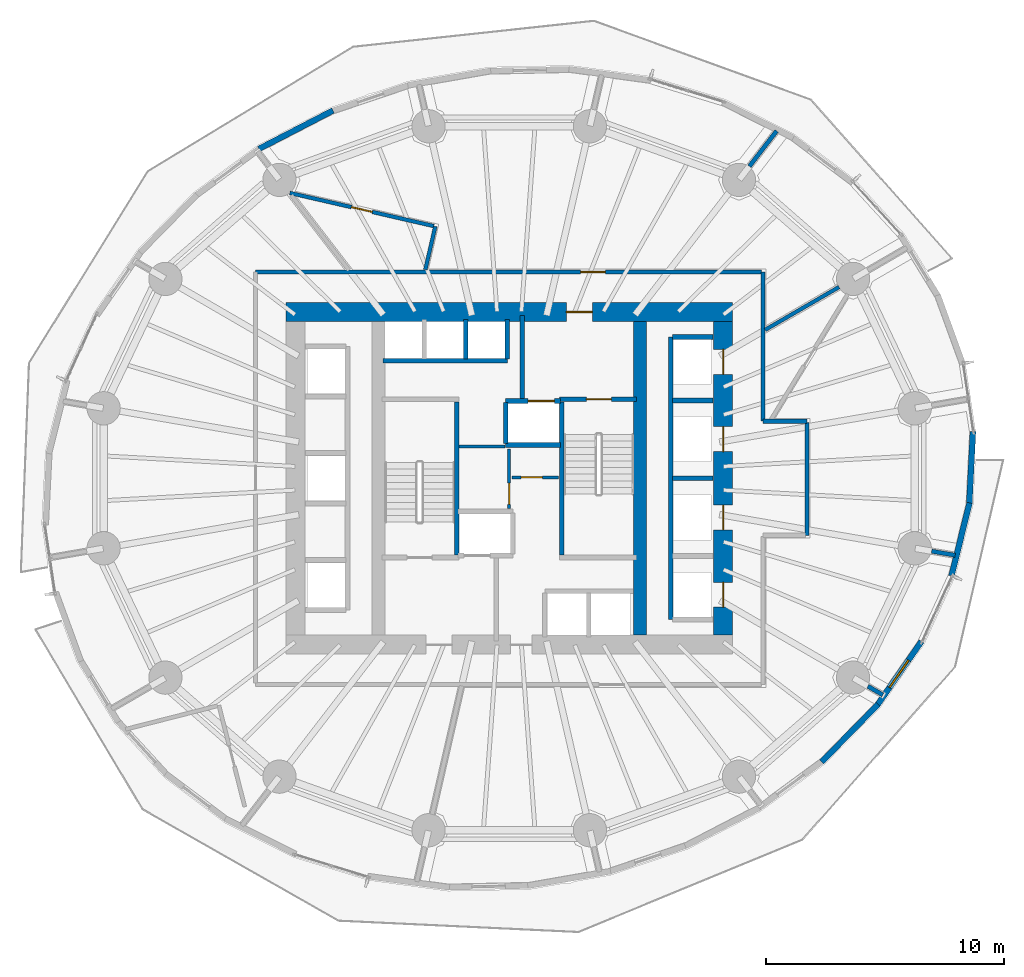
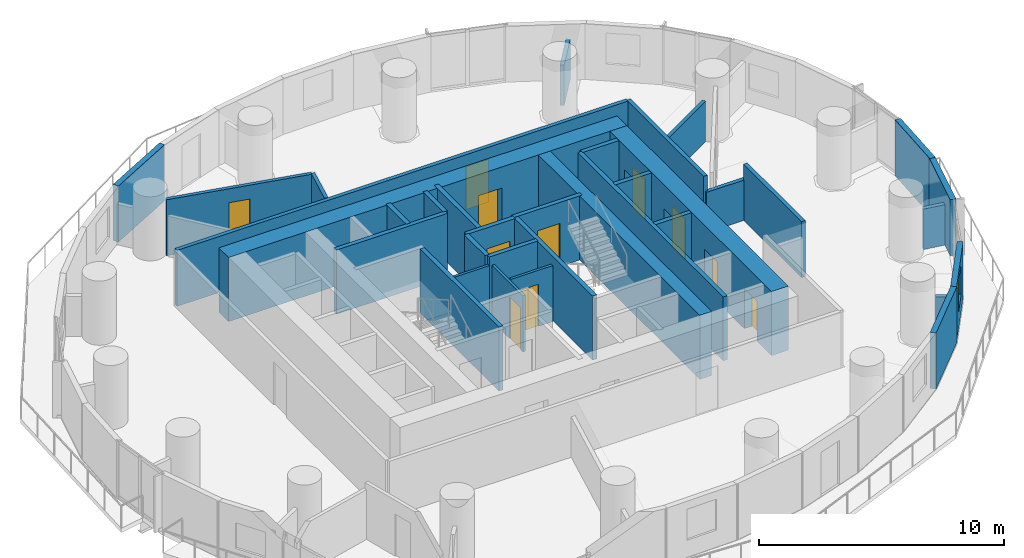
# One storey, part 8 of 13: 35 walls, 11 doors, 1 window, 12 openings.
"""IFC4 building model written with IfcOpenShell, lengths in metres."""

from ifc_helpers import new_model, si_unit, direction, frame, frame_2d, origin, place, context, subcontext, project, spatial, rectangle, extrude, material, layer, layer_set, type_object, element, fill, save


model = new_model("IFC4")

# Units and contexts
model_context = context("Model", 3, precision=1e-05, world=origin(), true_north=direction((0.0, 1.0)))
body_context = subcontext(model_context, "Body", "Model", "MODEL_VIEW")
ifc_project = project(units=[si_unit("LENGTHUNIT", "METRE"), si_unit("AREAUNIT", "SQUARE_METRE"), si_unit("VOLUMEUNIT", "CUBIC_METRE"), si_unit("PLANEANGLEUNIT", "RADIAN"), si_unit("MASSUNIT", "GRAM", prefix="KILO")], contexts=[model_context])

# Site, building, storey
site_placement = place(None, origin())
site = spatial("IfcSite", under=ifc_project, at=site_placement, CompositionType="ELEMENT")
building_placement = place(site_placement, origin())
building = spatial("IfcBuilding", under=site, at=building_placement, Name="Veldorim Arch Residences", CompositionType="ELEMENT")
storey_placement = place(building_placement, frame((0.0, 0.0, 63.199951171875)))
storey = spatial("IfcBuildingStorey", under=building, at=storey_placement, Name="L18", CompositionType="ELEMENT", Elevation=63.199951171875)

# Wall, opening, door
ifc_material_1 = material(Name="Acoustic Gypsum Board", Category="gypsum")
ifc_layer_1 = layer(ifc_material_1, 0.125, Name="Acoustic Stud Room Partition Wall 125")
ifc_layer_set_1 = layer_set([ifc_layer_1], Name="Acoustic Gypsum Board")
wall_type_1 = type_object("IfcWallType", Name="Acoustic Stud Room Partition Wall 125", PredefinedType="PARTITIONING", material=ifc_layer_set_1)
wall_1_placement = place(storey_placement, frame((32.0, 22.719970703125, 0.0), z_axis=(0.0, 0.0, 1.0), x_axis=(0.0, 1.0, 0.0)))
wall_1 = element("IfcWall", 1, at=wall_1_placement, inside=storey, type_object=wall_type_1, Name="L18 interior wall WL-CA-L18-1", PredefinedType="PARTITIONING", context=body_context, shape_type="SweptSolid", body=[
    extrude(rectangle(XDim=2.52001953125, YDim=0.125, at=frame_2d((1.260009765625, 0.0))), origin(), (0.0, 0.0, 1.0), 2.795166015625),
])
opening_1_placement = place(wall_1_placement, frame((0.179931640625, 0.0, 0.0)))
opening_1 = element("IfcOpeningElement", 2, at=opening_1_placement, cuts=wall_1, Name="Opening DR-SVC", PredefinedType="OPENING", context=body_context, shape_type="SweptSolid", body=[
    extrude(rectangle(XDim=0.89990234375, YDim=2.10009765625, at=frame_2d((0.449951171875, 1.050048828125))), frame((0.0, 0.072509765625, 0.0), z_axis=(0.0, -1.0, 0.0), x_axis=(1.0, 0.0, 0.0)), (0.0, 0.0, 1.0), 0.14501953125),
])
ifc_material_2 = material(Name="Fire-Rated Steel", Category="steel")
door_type_1 = type_object("IfcDoorType", Name="Riser, Shelter & Plant Room Rated Steel Door 900x2100", OperationType="SINGLE_SWING_LEFT", PredefinedType="DOOR", material=ifc_material_2)
door_1_placement = place(opening_1_placement, origin())
door_1 = element("IfcDoor", 3, at=door_1_placement, inside=storey, type_object=door_type_1, Name="L18 interior door DR-L18-CA2", OperationType="SINGLE_SWING_RIGHT", OverallHeight=2.10009765625, OverallWidth=0.89990234375, PredefinedType="DOOR", context=body_context, shape_type="SweptSolid", body=[
    extrude(rectangle(XDim=0.89990234375, YDim=2.10009765625, at=frame_2d((0.449951171875, 1.050048828125))), frame((0.0, 0.02490234375, 0.0), z_axis=(0.0, -1.0, 0.0), x_axis=(1.0, 0.0, 0.0)), (0.0, 0.0, 1.0), 0.050048828125),
])
fill(opening_1, door_1)

wall_2_placement = place(storey_placement, frame((32.110107421875, 24.0400390625, 0.0), z_axis=(0.0, 0.0, 1.0), x_axis=(1.0, 0.0, 0.0)))
wall_2 = element("IfcWall", 4, at=wall_2_placement, inside=storey, type_object=wall_type_1, Name="L18 interior wall WL-CA-L18-3", PredefinedType="PARTITIONING", context=body_context, shape_type="SweptSolid", body=[
    extrude(rectangle(XDim=1.969970703125, YDim=0.125, at=frame_2d((0.98486328125, 0.0))), origin(), (0.0, 0.0, 1.0), 2.795166015625),
])
opening_2_placement = place(wall_2_placement, frame((0.389892578125, 0.0, 0.0)))
opening_2 = element("IfcOpeningElement", 5, at=opening_2_placement, cuts=wall_2, Name="Opening DR-INT", PredefinedType="OPENING", context=body_context, shape_type="SweptSolid", body=[
    extrude(rectangle(XDim=0.89990234375, YDim=2.10009765625, at=frame_2d((0.449951171875, 1.050048828125))), frame((0.0, 0.072509765625, 0.0), z_axis=(0.0, -1.0, 0.0), x_axis=(1.0, 0.0, 0.0)), (0.0, 0.0, 1.0), 0.14501953125),
])
ifc_material_3 = material(Name="Engineered Timber", Category="wood")
door_type_2 = type_object("IfcDoorType", Name="Apartment Internal Room Timber Door 900x2100", OperationType="SINGLE_SWING_LEFT", PredefinedType="DOOR", material=ifc_material_3)
door_2_placement = place(opening_2_placement, origin())
door_2 = element("IfcDoor", 6, at=door_2_placement, inside=storey, type_object=door_type_2, Name="L18 interior door DR-L18-CA1", OperationType="SINGLE_SWING_LEFT", OverallHeight=2.10009765625, OverallWidth=0.89990234375, PredefinedType="DOOR", context=body_context, shape_type="SweptSolid", body=[
    extrude(rectangle(XDim=0.89990234375, YDim=2.10009765625, at=frame_2d((0.449951171875, 1.050048828125))), frame((0.0, 0.02490234375, 0.0), z_axis=(0.0, -1.0, 0.0), x_axis=(1.0, 0.0, 0.0)), (0.0, 0.0, 1.0), 0.050048828125),
])
fill(opening_2, door_2)

# Walls
wall_3_placement = place(storey_placement, frame((29.889892578125, 25.330078125, 0.0), z_axis=(0.0, 0.0, 1.0), x_axis=(1.0, 0.0, 0.0)))
element("IfcWall", 7, at=wall_3_placement, inside=storey, type_object=wall_type_1, Name="L18 interior wall WL-CA-L18-N", PredefinedType="PARTITIONING", context=body_context, shape_type="SweptSolid", body=[
    extrude(rectangle(XDim=1.940185546875, YDim=0.125, at=frame_2d((0.97021484375, 0.0))), origin(), (0.0, 0.0, 1.0), 2.795166015625),
])
ifc_material_4 = material(Name="Lightweight Masonry Block & Gypsum", Category="masonry")
ifc_layer_2 = layer(ifc_material_4, 0.179931640625, Name="Compartment & Corridor Fire-Rated Party Wall 180")
ifc_layer_set_2 = layer_set([ifc_layer_2], Name="Lightweight Masonry Block & Gypsum")
wall_type_2 = type_object("IfcWallType", Name="Compartment & Corridor Fire-Rated Party Wall 180", PredefinedType="PARTITIONING", material=ifc_layer_set_2)
wall_4_placement = place(storey_placement, frame((42.106201171875, 37.125732421875, 0.0), z_axis=(0.0, 0.0, 1.0), x_axis=(0.610131095296, 0.792300477441, 0.0)))
element("IfcWall", 8, at=wall_4_placement, inside=storey, type_object=wall_type_2, Name="L18 interior wall WL-PIER-L18-03", PredefinedType="PARTITIONING", context=body_context, shape_type="SweptSolid", body=[
    extrude(rectangle(XDim=1.88037109375, YDim=0.179931640625, at=frame_2d((0.940185546875, 0.0))), origin(), (0.0, 0.0, 1.0), 2.018310546875),
])
wall_5_placement = place(storey_placement, frame((47.090576171875, 15.249755859375, 0.0), z_axis=(0.0, 0.0, 1.0), x_axis=(0.865051537272, -0.501683005356, 0.0)))
element("IfcWall", 9, at=wall_5_placement, inside=storey, type_object=wall_type_2, Name="L18 interior wall WL-PIER-L18-15", PredefinedType="PARTITIONING", context=body_context, shape_type="SweptSolid", body=[
    extrude(rectangle(XDim=0.72900390625, YDim=0.179931640625, at=frame_2d((0.364501953125, 0.0))), origin(), (0.0, 0.0, 1.0), 2.018310546875),
])
wall_6_placement = place(storey_placement, frame((49.775146484375, 20.931640625, 0.0), z_axis=(0.0, 0.0, 1.0), x_axis=(0.985427922179, -0.170093533654, 0.0)))
element("IfcWall", 10, at=wall_6_placement, inside=storey, type_object=wall_type_2, Name="L18 interior wall WL-PIER-L18-16", PredefinedType="PARTITIONING", context=body_context, shape_type="SweptSolid", body=[
    extrude(rectangle(XDim=1.007568359375, YDim=0.179931640625, at=frame_2d((0.50390625, 0.0))), origin(), (0.0, 0.0, 1.0), 2.018310546875),
])
wall_7_placement = place(storey_placement, frame((42.679931640625, 26.39990234375, 0.0), z_axis=(0.0, 0.0, 1.0), x_axis=(1.0, 0.0, 0.0)))
element("IfcWall", 11, at=wall_7_placement, inside=storey, type_object=wall_type_2, Name="L18 interior wall WL-RES-L18-001", PredefinedType="PARTITIONING", context=body_context, shape_type="SweptSolid", body=[
    extrude(rectangle(XDim=1.85009765625, YDim=0.179931640625, at=frame_2d((0.925048828125, 0.0))), origin(), (0.0, 0.0, 1.0), 2.018310546875),
])
wall_8_placement = place(storey_placement, frame((44.530029296875, 26.340087890625, 0.0), z_axis=(0.0, 0.0, 1.0), x_axis=(0.0, -1.0, 0.0)))
element("IfcWall", 12, at=wall_8_placement, inside=storey, type_object=wall_type_2, Name="L18 interior wall WL-RES-L18-002", PredefinedType="PARTITIONING", context=body_context, shape_type="SweptSolid", body=[
    extrude(rectangle(XDim=4.739990234375, YDim=0.179931640625, at=frame_2d((2.3701171875, 0.0))), origin(), (0.0, 0.0, 1.0), 2.795166015625),
])
wall_9_placement = place(storey_placement, frame((42.679931640625, 32.679931640625, 0.0), z_axis=(0.0, 0.0, 1.0), x_axis=(0.0, -1.0, 0.0)))
element("IfcWall", 13, at=wall_9_placement, inside=storey, type_object=wall_type_2, Name="L18 interior wall WL-RES-L18-006", PredefinedType="PARTITIONING", context=body_context, shape_type="SweptSolid", body=[
    extrude(rectangle(XDim=6.280029296875, YDim=0.179931640625, at=frame_2d((3.14013671875, 0.0))), origin(), (0.0, 0.0, 1.0), 2.795166015625),
])

# Wall, opening, door
wall_10_placement = place(storey_placement, frame((21.320068359375, 32.679931640625, 0.0), z_axis=(0.0, 0.0, 1.0), x_axis=(1.0, 0.0, 0.0)))
wall_10 = element("IfcWall", 14, at=wall_10_placement, inside=storey, type_object=wall_type_2, Name="L18 interior wall WL-RES-L18-007", PredefinedType="PARTITIONING", context=body_context, shape_type="SweptSolid", body=[
    extrude(rectangle(XDim=21.300048828125, YDim=0.179931640625, at=frame_2d((10.64990234375, 0.0))), origin(), (0.0, 0.0, 1.0), 2.795166015625),
])
opening_3_placement = place(wall_10_placement, frame((13.6796875, 0.0, 0.0)))
opening_3 = element("IfcOpeningElement", 15, at=opening_3_placement, cuts=wall_10, Name="Opening DR-FLT", PredefinedType="OPENING", context=body_context, shape_type="SweptSolid", body=[
    extrude(rectangle(XDim=1.050048828125, YDim=2.14990234375, at=frame_2d((0.52490234375, 1.074951171875))), frame((0.0, 0.099853515625, 0.0), z_axis=(0.0, -1.0, 0.0), x_axis=(1.0, 0.0, 0.0)), (0.0, 0.0, 1.0), 0.199951171875),
])
ifc_material_5 = material(Name="Fire-Rated Timber", Category="wood")
door_type_3 = type_object("IfcDoorType", Name="Apartment Entrance Solid-Core Fire Door 1050x2150", OperationType="SINGLE_SWING_LEFT", PredefinedType="DOOR", material=ifc_material_5)
door_3_placement = place(opening_3_placement, origin())
door_3 = element("IfcDoor", 16, at=door_3_placement, inside=storey, type_object=door_type_3, Name="L18 interior door DR-RES-L18-003", OperationType="SINGLE_SWING_LEFT", OverallHeight=2.14990234375, OverallWidth=1.050048828125, PredefinedType="DOOR", context=body_context, shape_type="SweptSolid", body=[
    extrude(rectangle(XDim=1.050048828125, YDim=2.14990234375, at=frame_2d((0.52490234375, 1.074951171875))), frame((0.0, 0.02490234375, 0.0), z_axis=(0.0, -1.0, 0.0), x_axis=(1.0, 0.0, 0.0)), (0.0, 0.0, 1.0), 0.050048828125),
])
fill(opening_3, door_3)

# Walls
ifc_material_6 = material(Name="Concrete C50/60", Category="concrete")
ifc_layer_3 = layer(ifc_material_6, 0.199951171875, Name="Core Stair & Lift Shaft Enclosure Wall 200")
ifc_layer_set_3 = layer_set([ifc_layer_3], Name="Concrete C50/60")
wall_type_3 = type_object("IfcWallType", Name="Core Stair & Lift Shaft Enclosure Wall 200", PredefinedType="SHEAR", material=ifc_layer_set_3)
for number, where, z_axis, x_axis, name in (
    (17, (29.7900390625, 20.780029296875, 0.0), (0.0, 0.0, 1.0), (0.0, 1.0, 0.0), "L18 shaft wall WL-SHF-L18-ST1-E"),
    (18, (34.2099609375, 20.780029296875, 0.0), (0.0, 0.0, 1.0), (0.0, 1.0, 0.0), "L18 shaft wall WL-SHF-L18-ST2-W"),
):
    element("IfcWall", number, at=place(storey_placement, frame(where, z_axis=z_axis, x_axis=x_axis)), inside=storey, type_object=wall_type_3, Name=name, PredefinedType="SHEAR", context=body_context, shape_type="SweptSolid", body=[
        extrude(rectangle(XDim=6.43994140625, YDim=0.199951171875, at=frame_2d((3.219970703125, 0.0))), origin(), (0.0, 0.0, 1.0), 3.199951171875),
    ])

# Wall, opening, door
wall_11_placement = place(storey_placement, frame((34.110107421875, 27.330078125, 0.0), z_axis=(0.0, 0.0, 1.0), x_axis=(1.0, 0.0, 0.0)))
wall_11 = element("IfcWall", 19, at=wall_11_placement, inside=storey, type_object=wall_type_3, Name="L18 shaft wall WL-SHF-L18-ST2-N", PredefinedType="SHEAR", context=body_context, shape_type="SweptSolid", body=[
    extrude(rectangle(XDim=3.239990234375, YDim=0.199951171875, at=frame_2d((1.6201171875, 0.0))), origin(), (0.0, 0.0, 1.0), 3.199951171875),
])
opening_4_placement = place(wall_11_placement, frame((1.135009765625, 0.0, 0.0)))
opening_4 = element("IfcOpeningElement", 20, at=opening_4_placement, cuts=wall_11, Name="Opening DR-ST", PredefinedType="OPENING", context=body_context, shape_type="SweptSolid", body=[
    extrude(rectangle(XDim=1.050048828125, YDim=2.14990234375, at=frame_2d((0.52490234375, 1.074951171875))), frame((0.0, 0.10986328125, 0.0), z_axis=(0.0, -1.0, 0.0), x_axis=(1.0, 0.0, 0.0)), (0.0, 0.0, 1.0), 0.219970703125),
])
ifc_material_7 = material(Name="Fire-Rated Steel", Category="steel")
door_type_4 = type_object("IfcDoorType", Name="Exit Staircase Self-Closing Fire Door 1050x2150", OperationType="SINGLE_SWING_LEFT", PredefinedType="DOOR", material=ifc_material_7)
door_4_placement = place(opening_4_placement, origin())
door_4 = element("IfcDoor", 21, at=door_4_placement, inside=storey, type_object=door_type_4, Name="L18 interior door DR-L18-ST2", OperationType="SINGLE_SWING_RIGHT", OverallHeight=2.14990234375, OverallWidth=1.050048828125, PredefinedType="DOOR", context=body_context, shape_type="SweptSolid", body=[
    extrude(rectangle(XDim=1.050048828125, YDim=2.14990234375, at=frame_2d((0.52490234375, 1.074951171875))), frame((0.0, 0.02490234375, 0.0), z_axis=(0.0, -1.0, 0.0), x_axis=(1.0, 0.0, 0.0)), (0.0, 0.0, 1.0), 0.050048828125),
])
fill(opening_4, door_4)

# Wall
wall_12_placement = place(storey_placement, frame((32.550048828125, 27.35009765625, 0.0), z_axis=(0.0, 0.0, 1.0), x_axis=(0.0, 1.0, 0.0)))
element("IfcWall", 22, at=wall_12_placement, inside=storey, type_object=wall_type_3, Name="L18 shaft wall WL-FFL2-L18-W", PredefinedType="SHEAR", context=body_context, shape_type="SweptSolid", body=[
    extrude(rectangle(XDim=3.5, YDim=0.199951171875, at=frame_2d((1.75, 0.0))), origin(), (0.0, 0.0, 1.0), 3.199951171875),
])

# Wall, opening, door
wall_13_placement = place(storey_placement, frame((31.85009765625, 27.25, 0.0), z_axis=(0.0, 0.0, 1.0), x_axis=(1.0, 0.0, 0.0)))
wall_13 = element("IfcWall", 23, at=wall_13_placement, inside=storey, type_object=wall_type_3, Name="L18 shaft wall WL-FL02-L18-N", PredefinedType="SHEAR", context=body_context, shape_type="SweptSolid", body=[
    extrude(rectangle(XDim=2.2998046875, YDim=0.199951171875, at=frame_2d((1.14990234375, 0.0))), origin(), (0.0, 0.0, 1.0), 3.199951171875),
])
opening_5_placement = place(wall_13_placement, frame((0.949951171875, 0.0, 0.0)))
opening_5 = element("IfcOpeningElement", 24, at=opening_5_placement, cuts=wall_13, Name="Opening LD-FF", PredefinedType="OPENING", context=body_context, shape_type="SweptSolid", body=[
    extrude(rectangle(XDim=1.10009765625, YDim=2.14990234375, at=frame_2d((0.550048828125, 1.074951171875))), frame((0.0, 0.10986328125, 0.0), z_axis=(0.0, -1.0, 0.0), x_axis=(1.0, 0.0, 0.0)), (0.0, 0.0, 1.0), 0.219970703125),
])
ifc_material_8 = material(Name="Stainless Steel", Category="steel")
door_type_5 = type_object("IfcDoorType", Name="Firefighting Lift Bi-Parting Sliding Landing Door 1100x2150", OperationType="DOUBLE_DOOR_SLIDING", PredefinedType="DOOR", material=ifc_material_8)
door_5_placement = place(opening_5_placement, origin())
door_5 = element("IfcDoor", 25, at=door_5_placement, inside=storey, type_object=door_type_5, Name="L18 lift landing door LD-L18-FL02", OperationType="DOUBLE_DOOR_SLIDING", OverallHeight=2.14990234375, OverallWidth=1.10009765625, PredefinedType="DOOR", context=body_context, shape_type="SweptSolid", body=[
    extrude(rectangle(XDim=1.10009765625, YDim=2.14990234375, at=frame_2d((0.550048828125, 1.074951171875))), frame((0.0, 0.02490234375, 0.0), z_axis=(0.0, -1.0, 0.0), x_axis=(1.0, 0.0, 0.0)), (0.0, 0.0, 1.0), 0.050048828125),
])
fill(opening_5, door_5)

# Walls
wall_14_placement = place(storey_placement, frame((31.85009765625, 25.39990234375, 0.0), z_axis=(0.0, 0.0, 1.0), x_axis=(1.0, 0.0, 0.0)))
element("IfcWall", 26, at=wall_14_placement, inside=storey, type_object=wall_type_3, Name="L18 shaft wall WL-FL02-L18-S", PredefinedType="SHEAR", context=body_context, shape_type="SweptSolid", body=[
    extrude(rectangle(XDim=2.2998046875, YDim=0.199951171875, at=frame_2d((1.14990234375, 0.0))), origin(), (0.0, 0.0, 1.0), 3.199951171875),
])
wall_15_placement = place(storey_placement, frame((31.85009765625, 25.469970703125, 0.0), z_axis=(0.0, 0.0, 1.0), x_axis=(0.0, 1.0, 0.0)))
element("IfcWall", 27, at=wall_15_placement, inside=storey, type_object=wall_type_3, Name="L18 shaft wall WL-FL02-L18-W", PredefinedType="SHEAR", context=body_context, shape_type="SweptSolid", body=[
    extrude(rectangle(XDim=1.7099609375, YDim=0.199951171875, at=frame_2d((0.85498046875, 0.0))), origin(), (0.0, 0.0, 1.0), 3.199951171875),
])
wall_16_placement = place(storey_placement, frame((38.800048828125, 18.06005859375, 0.0), z_axis=(0.0, 0.0, 1.0), x_axis=(0.0, 1.0, 0.0)))
element("IfcWall", 28, at=wall_16_placement, inside=storey, type_object=wall_type_3, Name="L18 shaft wall WL-B1-L18-W", PredefinedType="SHEAR", context=body_context, shape_type="SweptSolid", body=[
    extrude(rectangle(XDim=11.8798828125, YDim=0.199951171875, at=frame_2d((5.93994140625, 0.0))), origin(), (0.0, 0.0, 1.0), 3.199951171875),
])
for number, where, z_axis, x_axis, name in (
    (29, (38.8701171875, 29.93994140625, 0.0), (0.0, 0.0, 1.0), (1.0, 0.0, 0.0), "L18 shaft wall WL-B1-L18-N"),
    (30, (38.8701171875, 24.0, 0.0), (0.0, 0.0, 1.0), (1.0, 0.0, 0.0), "L18 shaft wall WL-B1-L18-D2"),
    (31, (38.8701171875, 27.27490234375, 0.0), (0.0, 0.0, 1.0), (1.0, 0.0, 0.0), "L18 shaft wall WL-B1-L18-D3"),
):
    element("IfcWall", number, at=place(storey_placement, frame(where, z_axis=z_axis, x_axis=x_axis)), inside=storey, type_object=wall_type_3, Name=name, PredefinedType="SHEAR", context=body_context, shape_type="SweptSolid", body=[
        extrude(rectangle(XDim=1.7099609375, YDim=0.199951171875, at=frame_2d((0.85498046875, 0.0))), origin(), (0.0, 0.0, 1.0), 3.199951171875),
    ])
wall_17_placement = place(storey_placement, frame((26.679931640625, 28.949951171875, 0.0), z_axis=(0.0, 0.0, 1.0), x_axis=(1.0, 0.0, 0.0)))
element("IfcWall", 32, at=wall_17_placement, inside=storey, type_object=wall_type_3, Name="L18 shaft wall WL-B3-L18-S", PredefinedType="SHEAR", context=body_context, shape_type="SweptSolid", body=[
    extrude(rectangle(XDim=5.239990234375, YDim=0.199951171875, at=frame_2d((2.6201171875, 0.0))), origin(), (0.0, 0.0, 1.0), 3.199951171875),
])
for number, where, z_axis, x_axis, name in (
    (33, (31.919921875, 29.02001953125, 0.0), (0.0, 0.0, 1.0), (0.0, 1.0, 0.0), "L18 shaft wall WL-B3-L18-E"),
    (34, (30.175048828125, 29.02001953125, 0.0), (0.0, 0.0, 1.0), (0.0, 1.0, 0.0), "L18 shaft wall WL-B3-L18-D2"),
):
    element("IfcWall", number, at=place(storey_placement, frame(where, z_axis=z_axis, x_axis=x_axis)), inside=storey, type_object=wall_type_3, Name=name, PredefinedType="SHEAR", context=body_context, shape_type="SweptSolid", body=[
        extrude(rectangle(XDim=1.659912109375, YDim=0.199951171875, at=frame_2d((0.830078125, 0.0))), origin(), (0.0, 0.0, 1.0), 3.199951171875),
    ])
ifc_material_9 = material(Name="Concrete C60/75", Category="concrete")
ifc_layer_4 = layer(ifc_material_9, 0.56005859375, Name="Internal Core Shear Web Wall 560")
ifc_layer_set_4 = layer_set([ifc_layer_4], Name="Concrete C60/75")
wall_type_4 = type_object("IfcWallType", Name="Internal Core Shear Web Wall 560", PredefinedType="SHEAR", material=ifc_layer_set_4)
wall_18_placement = place(storey_placement, frame((37.5, 17.39990234375, 0.0), z_axis=(0.0, 0.0, 1.0), x_axis=(0.0, 1.0, 0.0)))
element("IfcWall", 35, at=wall_18_placement, inside=storey, type_object=wall_type_4, Name="L18 core east internal shear web", PredefinedType="SHEAR", context=body_context, shape_type="SweptSolid", body=[
    extrude(rectangle(XDim=13.2001953125, YDim=0.56005859375, at=frame_2d((6.60009765625, 0.0))), origin(), (0.0, 0.0, 1.0), 3.199951171875),
])

# Wall, opening, door
ifc_material_10 = material(Name="Concrete C60/75", Category="concrete")
ifc_layer_5 = layer(ifc_material_10, 0.800048828125, Name="Lower Central Core Shear Wall 800")
ifc_layer_set_5 = layer_set([ifc_layer_5], Name="Concrete C60/75")
wall_type_5 = type_object("IfcWallType", Name="Lower Central Core Shear Wall 800", PredefinedType="SHEAR", material=ifc_layer_set_5)
wall_19_placement = place(storey_placement, frame((22.60009765625, 31.0, 0.0), z_axis=(0.0, 0.0, 1.0), x_axis=(1.0, 0.0, 0.0)))
wall_19 = element("IfcWall", 36, at=wall_19_placement, inside=storey, type_object=wall_type_5, Name="L18 central core north shear wall", PredefinedType="SHEAR", context=body_context, shape_type="SweptSolid", body=[
    extrude(rectangle(XDim=18.7998046875, YDim=0.800048828125, at=frame_2d((9.39990234375, 0.0))), origin(), (0.0, 0.0, 1.0), 3.199951171875),
])
opening_6_placement = place(wall_19_placement, frame((11.800048828125, 0.0, 0.0)))
opening_6 = element("IfcOpeningElement", 37, at=opening_6_placement, cuts=wall_19, Name="Opening DR-FFL", PredefinedType="OPENING", context=body_context, shape_type="SweptSolid", body=[
    extrude(rectangle(XDim=1.10009765625, YDim=2.14990234375, at=frame_2d((0.550048828125, 1.074951171875))), frame((0.0, 0.409912109375, 0.0), z_axis=(0.0, -1.0, 0.0), x_axis=(1.0, 0.0, 0.0)), (0.0, 0.0, 1.0), 0.820068359375),
])
ifc_material_11 = material(Name="Fire-Rated Steel & Vision Glass", Category="steel")
door_type_6 = type_object("IfcDoorType", Name="Firefighting Lobby Smoke-Stop Fire Door 1100x2150", OperationType="SINGLE_SWING_LEFT", PredefinedType="DOOR", material=ifc_material_11)
door_6_placement = place(opening_6_placement, origin())
door_6 = element("IfcDoor", 38, at=door_6_placement, inside=storey, type_object=door_type_6, Name="L18 interior door DR-L18-FFL2", OperationType="SINGLE_SWING_LEFT", OverallHeight=2.14990234375, OverallWidth=1.10009765625, PredefinedType="DOOR", context=body_context, shape_type="SweptSolid", body=[
    extrude(rectangle(XDim=1.10009765625, YDim=2.14990234375, at=frame_2d((0.550048828125, 1.074951171875))), frame((0.0, 0.02490234375, 0.0), z_axis=(0.0, -1.0, 0.0), x_axis=(1.0, 0.0, 0.0)), (0.0, 0.0, 1.0), 0.050048828125),
])
fill(opening_6, door_6)

# Wall, openings, doors
wall_20_placement = place(storey_placement, frame((41.0, 17.39990234375, 0.0), z_axis=(0.0, 0.0, 1.0), x_axis=(0.0, 1.0, 0.0)))
wall_20 = element("IfcWall", 39, at=wall_20_placement, inside=storey, type_object=wall_type_5, Name="L18 central core east shear wall", PredefinedType="SHEAR", context=body_context, shape_type="SweptSolid", body=[
    extrude(rectangle(XDim=13.2001953125, YDim=0.800048828125, at=frame_2d((6.60009765625, 0.0))), origin(), (0.0, 0.0, 1.0), 3.199951171875),
])
opening_7_placement = place(wall_20_placement, frame((1.175048828125, 0.0, 0.0)))
opening_7 = element("IfcOpeningElement", 40, at=opening_7_placement, cuts=wall_20, Name="Opening LD-PS2", PredefinedType="OPENING", context=body_context, shape_type="SweptSolid", body=[
    extrude(rectangle(XDim=1.050048828125, YDim=2.0, at=frame_2d((0.52490234375, 1.0))), frame((0.0, 0.409912109375, 0.0), z_axis=(0.0, -1.0, 0.0), x_axis=(1.0, 0.0, 0.0)), (0.0, 0.0, 1.0), 0.820068359375),
])
opening_8_placement = place(wall_20_placement, frame((4.425048828125, 0.0, 0.0)))
opening_8 = element("IfcOpeningElement", 41, at=opening_8_placement, cuts=wall_20, Name="Opening LD-PS2", PredefinedType="OPENING", context=body_context, shape_type="SweptSolid", body=[
    extrude(rectangle(XDim=1.050048828125, YDim=2.0, at=frame_2d((0.52490234375, 1.0))), frame((0.0, 0.409912109375, 0.0), z_axis=(0.0, -1.0, 0.0), x_axis=(1.0, 0.0, 0.0)), (0.0, 0.0, 1.0), 0.820068359375),
])
opening_9_placement = place(wall_20_placement, frame((7.72509765625, 0.0, 0.0)))
opening_9 = element("IfcOpeningElement", 42, at=opening_9_placement, cuts=wall_20, Name="Opening LD-PS2", PredefinedType="OPENING", context=body_context, shape_type="SweptSolid", body=[
    extrude(rectangle(XDim=1.050048828125, YDim=2.0, at=frame_2d((0.52490234375, 1.0))), frame((0.0, 0.409912109375, 0.0), z_axis=(0.0, -1.0, 0.0), x_axis=(1.0, 0.0, 0.0)), (0.0, 0.0, 1.0), 0.820068359375),
])
opening_10_placement = place(wall_20_placement, frame((10.97509765625, 0.0, 0.0)))
opening_10 = element("IfcOpeningElement", 43, at=opening_10_placement, cuts=wall_20, Name="Opening LD-PS2", PredefinedType="OPENING", context=body_context, shape_type="SweptSolid", body=[
    extrude(rectangle(XDim=1.050048828125, YDim=2.0, at=frame_2d((0.52490234375, 1.0))), frame((0.0, 0.409912109375, 0.0), z_axis=(0.0, -1.0, 0.0), x_axis=(1.0, 0.0, 0.0)), (0.0, 0.0, 1.0), 0.820068359375),
])
ifc_material_12 = material(Name="Stainless Steel", Category="steel")
door_type_7 = type_object("IfcDoorType", Name="Passenger Lift Low-Soffit Sliding Door 1050x2000", OperationType="DOUBLE_DOOR_SLIDING", PredefinedType="DOOR", material=ifc_material_12)
door_7_placement = place(opening_7_placement, origin())
door_7 = element("IfcDoor", 44, at=door_7_placement, inside=storey, type_object=door_type_7, Name="L18 lift landing door LD-L18-PL-01", OperationType="DOUBLE_DOOR_SLIDING", OverallHeight=2.0, OverallWidth=1.050048828125, PredefinedType="DOOR", context=body_context, shape_type="SweptSolid", body=[
    extrude(rectangle(XDim=1.050048828125, YDim=2.0, at=frame_2d((0.52490234375, 1.0))), frame((0.0, 0.02490234375, 0.0), z_axis=(0.0, -1.0, 0.0), x_axis=(1.0, 0.0, 0.0)), (0.0, 0.0, 1.0), 0.050048828125),
])
fill(opening_7, door_7)
door_8_placement = place(opening_8_placement, origin())
door_8 = element("IfcDoor", 45, at=door_8_placement, inside=storey, type_object=door_type_7, Name="L18 lift landing door LD-L18-PL-02", OperationType="DOUBLE_DOOR_SLIDING", OverallHeight=2.0, OverallWidth=1.050048828125, PredefinedType="DOOR", context=body_context, shape_type="SweptSolid", body=[
    extrude(rectangle(XDim=1.050048828125, YDim=2.0, at=frame_2d((0.52490234375, 1.0))), frame((0.0, 0.02490234375, 0.0), z_axis=(0.0, -1.0, 0.0), x_axis=(1.0, 0.0, 0.0)), (0.0, 0.0, 1.0), 0.050048828125),
])
fill(opening_8, door_8)
door_9_placement = place(opening_9_placement, origin())
door_9 = element("IfcDoor", 46, at=door_9_placement, inside=storey, type_object=door_type_7, Name="L18 lift landing door LD-L18-PL-03", OperationType="DOUBLE_DOOR_SLIDING", OverallHeight=2.0, OverallWidth=1.050048828125, PredefinedType="DOOR", context=body_context, shape_type="SweptSolid", body=[
    extrude(rectangle(XDim=1.050048828125, YDim=2.0, at=frame_2d((0.52490234375, 1.0))), frame((0.0, 0.02490234375, 0.0), z_axis=(0.0, -1.0, 0.0), x_axis=(1.0, 0.0, 0.0)), (0.0, 0.0, 1.0), 0.050048828125),
])
fill(opening_9, door_9)
door_10_placement = place(opening_10_placement, origin())
door_10 = element("IfcDoor", 47, at=door_10_placement, inside=storey, type_object=door_type_7, Name="L18 lift landing door LD-L18-PL-04", OperationType="DOUBLE_DOOR_SLIDING", OverallHeight=2.0, OverallWidth=1.050048828125, PredefinedType="DOOR", context=body_context, shape_type="SweptSolid", body=[
    extrude(rectangle(XDim=1.050048828125, YDim=2.0, at=frame_2d((0.52490234375, 1.0))), frame((0.0, 0.02490234375, 0.0), z_axis=(0.0, -1.0, 0.0), x_axis=(1.0, 0.0, 0.0)), (0.0, 0.0, 1.0), 0.050048828125),
])
fill(opening_10, door_10)

# Walls
ifc_material_13 = material(Name="Precast concrete C40/50", Category="concrete")
ifc_layer_6 = layer(ifc_material_13, 0.25, Name="Tower Terracotta Spandrel & Pier Wall 250")
ifc_layer_set_6 = layer_set([ifc_layer_6], Name="Precast concrete C40/50")
wall_type_6 = type_object("IfcWallType", Name="Tower Terracotta Spandrel & Pier Wall 250", PredefinedType="SOLIDWALL", material=ifc_layer_set_6)
wall_21_placement = place(storey_placement, frame((21.468017578125, 37.861083984375, 0.0), z_axis=(0.0, 0.0, 1.0), x_axis=(0.887956398997, 0.459927639396, 0.0)))
element("IfcWall", 48, at=wall_21_placement, inside=storey, type_object=wall_type_6, Name="L18 terracotta facade wall 11", PredefinedType="SOLIDWALL", context=body_context, shape_type="SweptSolid", body=[
    extrude(rectangle(XDim=3.512939453125, YDim=0.25, at=frame_2d((1.75634765625, 0.0))), origin(), (0.0, 0.0, 1.0), 2.800048828125),
])
wall_22_placement = place(storey_placement, frame((47.526123046875, 14.489990234375, 0.0), z_axis=(0.0, 0.0, 1.0), x_axis=(-0.699814992025, -0.714324139966, 0.0)))
element("IfcWall", 49, at=wall_22_placement, inside=storey, type_object=wall_type_6, Name="L18 terracotta facade wall 31", PredefinedType="SOLIDWALL", context=body_context, shape_type="SweptSolid", body=[
    extrude(rectangle(XDim=3.39892578125, YDim=0.25, at=frame_2d((1.699462890625, 0.0))), origin(), (0.0, 0.0, 1.0), 2.800048828125),
])

# Wall, opening, window
wall_23_placement = place(storey_placement, frame((49.34912109375, 17.135009765625, 0.0), z_axis=(0.0, 0.0, 1.0), x_axis=(-0.569901359672, -0.821713113102, 0.0)))
wall_23 = element("IfcWall", 50, at=wall_23_placement, inside=storey, type_object=wall_type_6, Name="L18 terracotta facade wall 32", PredefinedType="SOLIDWALL", context=body_context, shape_type="SweptSolid", body=[
    extrude(rectangle(XDim=3.322509765625, YDim=0.25, at=frame_2d((1.6611328125, 0.0))), origin(), (0.0, 0.0, 1.0), 2.800048828125),
])
opening_11_placement = place(wall_23_placement, frame((0.9609375, 0.0, 0.85009765625)))
opening_11 = element("IfcOpeningElement", 51, at=opening_11_placement, cuts=wall_23, Name="Opening WN-02", PredefinedType="OPENING", context=body_context, shape_type="SweptSolid", body=[
    extrude(rectangle(XDim=1.39990234375, YDim=1.550048828125, at=frame_2d((0.699951171875, 0.77490234375))), frame((0.0, 0.135009765625, 0.0), z_axis=(0.0, -1.0, 0.0), x_axis=(1.0, 0.0, 0.0)), (0.0, 0.0, 1.0), 0.27001953125),
])
ifc_material_14 = material(Name="Laminated Low-E Glass", Category="glass")
window_type = type_object("IfcWindowType", Name="Residential Casement Window 1400x1550", PartitioningType="SINGLE_PANEL", PredefinedType="WINDOW", material=ifc_material_14)
window_placement = place(opening_11_placement, origin())
window = element("IfcWindow", 52, at=window_placement, inside=storey, type_object=window_type, Name="L18 solar-control facade window 32", OverallHeight=1.550048828125, OverallWidth=1.39990234375, PartitioningType="SINGLE_PANEL", PredefinedType="WINDOW", context=body_context, shape_type="SweptSolid", body=[
    extrude(rectangle(XDim=1.39990234375, YDim=1.550048828125, at=frame_2d((0.699951171875, 0.77490234375))), frame((0.0, 0.030029296875, 0.0), z_axis=(0.0, -1.0, 0.0), x_axis=(1.0, 0.0, 0.0)), (0.0, 0.0, 1.0), 0.06005859375),
])
fill(opening_11, window)

# Walls
wall_24_placement = place(storey_placement, frame((51.37158203125, 22.962158203125, 0.0), z_axis=(0.0, 0.0, 1.0), x_axis=(-0.240996878469, -0.970525890725, 0.0)))
element("IfcWall", 53, at=wall_24_placement, inside=storey, type_object=wall_type_6, Name="L18 terracotta facade wall 34", PredefinedType="SOLIDWALL", context=body_context, shape_type="SweptSolid", body=[
    extrude(rectangle(XDim=3.173828125, YDim=0.25, at=frame_2d((1.5869140625, 0.0))), origin(), (0.0, 0.0, 1.0), 2.800048828125),
])
wall_25_placement = place(storey_placement, frame((51.5107421875, 25.96630859375, 0.0), z_axis=(0.0, 0.0, 1.0), x_axis=(-0.049914204831, -0.998753509208, 0.0)))
element("IfcWall", 54, at=wall_25_placement, inside=storey, type_object=wall_type_6, Name="L18 terracotta facade wall 35", PredefinedType="SOLIDWALL", context=body_context, shape_type="SweptSolid", body=[
    extrude(rectangle(XDim=3.12060546875, YDim=0.25, at=frame_2d((1.560302734375, 0.0))), origin(), (0.0, 0.0, 1.0), 2.800048828125),
])
ifc_material_15 = material(Name="Moisture-Resistant Gypsum & Stud", Category="gypsum")
ifc_layer_7 = layer(ifc_material_15, 0.159912109375, Name="Wet-Area Moisture-Resistant Plumbing Wall 160")
ifc_layer_set_7 = layer_set([ifc_layer_7], Name="Moisture-Resistant Gypsum & Stud")
wall_type_7 = type_object("IfcWallType", Name="Wet-Area Moisture-Resistant Plumbing Wall 160", PredefinedType="PLUMBINGWALL", material=ifc_layer_set_7)
wall_26_placement = place(storey_placement, frame((42.7666015625, 30.242919921875, 0.0), z_axis=(0.0, 0.0, 1.0), x_axis=(0.865055926686, 0.501675436617, 0.0)))
element("IfcWall", 55, at=wall_26_placement, inside=storey, type_object=wall_type_7, Name="L18 interior wall WL-RES-L18-011", PredefinedType="PLUMBINGWALL", context=body_context, shape_type="SweptSolid", body=[
    extrude(rectangle(XDim=3.597900390625, YDim=0.159912109375, at=frame_2d((1.798828125, 0.0))), origin(), (0.0, 0.0, 1.0), 2.018310546875),
])
wall_27_placement = place(storey_placement, frame((28.4716796875, 32.777587890625, 0.0), z_axis=(0.0, 0.0, 1.0), x_axis=(0.224134039234, 0.974558326862, 0.0)))
element("IfcWall", 56, at=wall_27_placement, inside=storey, type_object=wall_type_7, Name="L18 interior wall WL-RES-L18-012", PredefinedType="PLUMBINGWALL", context=body_context, shape_type="SweptSolid", body=[
    extrude(rectangle(XDim=1.8681640625, YDim=0.159912109375, at=frame_2d((0.93408203125, 0.0))), origin(), (0.0, 0.0, 1.0), 2.795166015625),
])

# Wall, opening, door
wall_28_placement = place(storey_placement, frame((28.831787109375, 34.611572265625, 0.0), z_axis=(0.0, 0.0, 1.0), x_axis=(-0.97457275657, 0.224071288102, 0.0)))
wall_28 = element("IfcWall", 57, at=wall_28_placement, inside=storey, type_object=wall_type_7, Name="L18 interior wall WL-RES-L18-013", PredefinedType="PLUMBINGWALL", context=body_context, shape_type="SweptSolid", body=[
    extrude(rectangle(XDim=6.221435546875, YDim=0.159912109375, at=frame_2d((3.11083984375, 0.0))), origin(), (0.0, 0.0, 1.0), 2.795166015625),
])
opening_12_placement = place(wall_28_placement, frame((2.66064453125, 0.0, 0.0)))
opening_12 = element("IfcOpeningElement", 58, at=opening_12_placement, cuts=wall_28, Name="Opening DR-WC", PredefinedType="OPENING", context=body_context, shape_type="SweptSolid", body=[
    extrude(rectangle(XDim=0.89990234375, YDim=2.10009765625, at=frame_2d((0.449951171875, 1.050048828125))), frame((0.0, 0.08984375, 0.0), z_axis=(0.0, -1.0, 0.0), x_axis=(1.0, 0.0, 0.0)), (0.0, 0.0, 1.0), 0.179931640625),
])
ifc_material_16 = material(Name="Laminate Timber", Category="wood")
door_type_8 = type_object("IfcDoorType", Name="Bathroom & Accessible WC Moisture-Sealed Door 900x2100", OperationType="SINGLE_SWING_LEFT", PredefinedType="DOOR", material=ifc_material_16)
door_11_placement = place(opening_12_placement, origin())
door_11 = element("IfcDoor", 59, at=door_11_placement, inside=storey, type_object=door_type_8, Name="L18 interior door DR-RES-L18-004", OperationType="SINGLE_SWING_RIGHT", OverallHeight=2.10009765625, OverallWidth=0.89990234375, PredefinedType="DOOR", context=body_context, shape_type="SweptSolid", body=[
    extrude(rectangle(XDim=0.89990234375, YDim=2.10009765625, at=frame_2d((0.449951171875, 1.050048828125))), frame((0.0, 0.02490234375, 0.0), z_axis=(0.0, -1.0, 0.0), x_axis=(1.0, 0.0, 0.0)), (0.0, 0.0, 1.0), 0.050048828125),
])
fill(opening_12, door_11)

save(model, "model.ifc")
